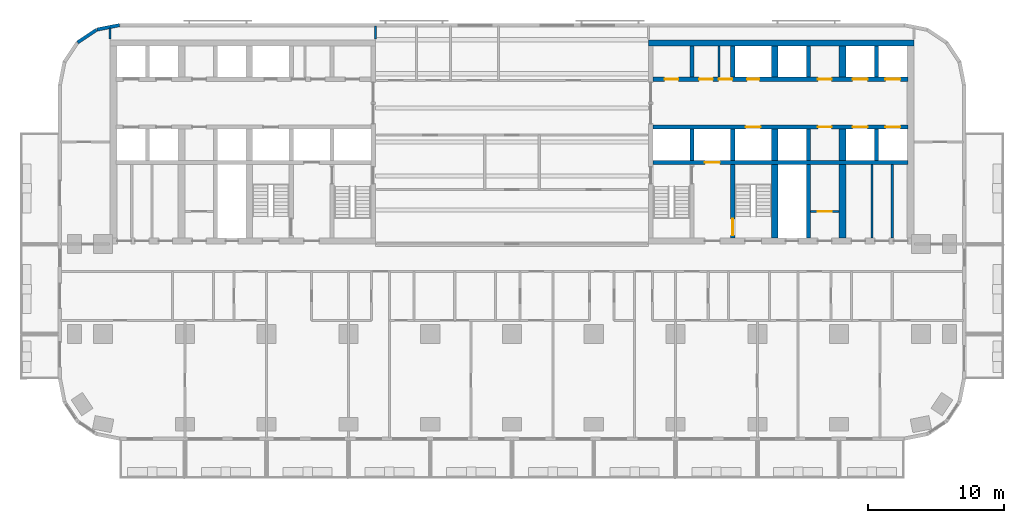
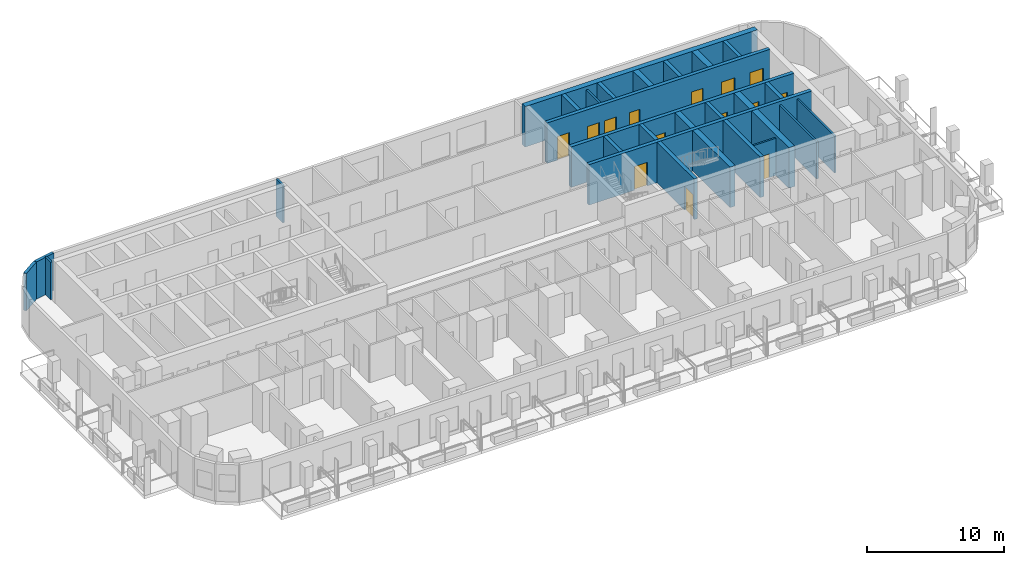
# One storey, part 8 of 15: 28 walls, 14 doors, 14 openings.
"""IFC4 building model written with IfcOpenShell, lengths in metres."""

from ifc_helpers import new_model, si_unit, direction, frame, frame_2d, origin, place, context, subcontext, project, spatial, rectangle, extrude, material, layer, layer_set, type_object, element, fill, save


model = new_model("IFC4")

# Units and contexts
model_context = context("Model", 3, precision=1e-05, world=origin(), true_north=direction((0.0, 1.0)))
body_context = subcontext(model_context, "Body", "Model", "MODEL_VIEW")
ifc_project = project(units=[si_unit("LENGTHUNIT", "METRE"), si_unit("AREAUNIT", "SQUARE_METRE"), si_unit("VOLUMEUNIT", "CUBIC_METRE"), si_unit("PLANEANGLEUNIT", "RADIAN"), si_unit("MASSUNIT", "GRAM", prefix="KILO")], contexts=[model_context])

# Site, building, storey
site_placement = place(None, origin())
site = spatial("IfcSite", under=ifc_project, at=site_placement, CompositionType="ELEMENT")
building_placement = place(site_placement, origin())
building = spatial("IfcBuilding", under=site, at=building_placement, Name="Torana Hotel and Residences", CompositionType="ELEMENT")
storey_placement = place(building_placement, frame((0.0, 0.0, 92.39990234375)))
storey = spatial("IfcBuildingStorey", under=building, at=storey_placement, Name="L23", CompositionType="ELEMENT", Elevation=92.39990234375)

# Wall, openings, doors
ifc_material_1 = material(Name="Concrete C80/95", Category="concrete")
ifc_layer_1 = layer(ifc_material_1, 0.300048828125)
ifc_layer_set_1 = layer_set([ifc_layer_1], Name="CORE WALL 300 C80/95")
wall_type_1 = type_object("IfcWallType", Name="CORE WALL 300 C80/95", PredefinedType="SHEAR", material=ifc_layer_set_1)
wall_1_placement = place(storey_placement, frame((10.35009765625, -2.89990234375, 0.0), z_axis=(0.0, 0.0, 1.0), x_axis=(1.0, 0.0, 0.0)))
wall_1 = element("IfcWall", 1, at=wall_1_placement, inside=storey, type_object=wall_type_1, Name="Core wall E row-N", PredefinedType="SHEAR", context=body_context, shape_type="SweptSolid", body=[
    extrude(rectangle(XDim=18.699951171875, YDim=0.300048828125, at=frame_2d((9.35009765625, 0.0))), origin(), (0.0, 0.0, 1.0), 3.60009765625),
])
opening_1_placement = place(wall_1_placement, frame((14.64990234375, 0.0, 0.0)))
opening_1 = element("IfcOpeningElement", 2, at=opening_1_placement, cuts=wall_1, Name="Opening LD", PredefinedType="OPENING", context=body_context, shape_type="SweptSolid", body=[
    extrude(rectangle(XDim=1.10009765625, YDim=2.10009765625, at=frame_2d((0.550048828125, 1.050048828125))), frame((0.0, 0.159912109375, 0.0), z_axis=(0.0, -1.0, 0.0), x_axis=(1.0, 0.0, 0.0)), (0.0, 0.0, 1.0), 0.320068359375),
])
opening_2_placement = place(wall_1_placement, frame((17.050048828125, 0.0, 0.0)))
opening_2 = element("IfcOpeningElement", 3, at=opening_2_placement, cuts=wall_1, Name="Opening LD", PredefinedType="OPENING", context=body_context, shape_type="SweptSolid", body=[
    extrude(rectangle(XDim=1.10009765625, YDim=2.10009765625, at=frame_2d((0.550048828125, 1.050048828125))), frame((0.0, 0.159912109375, 0.0), z_axis=(0.0, -1.0, 0.0), x_axis=(1.0, 0.0, 0.0)), (0.0, 0.0, 1.0), 0.320068359375),
])
opening_3_placement = place(wall_1_placement, frame((6.89990234375, 0.0, 0.0)))
opening_3 = element("IfcOpeningElement", 4, at=opening_3_placement, cuts=wall_1, Name="Opening L23-29", PredefinedType="OPENING", context=body_context, shape_type="SweptSolid", body=[
    extrude(rectangle(XDim=0.89990234375, YDim=2.10009765625, at=frame_2d((0.449951171875, 1.050048828125))), frame((0.0, 0.159912109375, 0.0), z_axis=(0.0, -1.0, 0.0), x_axis=(1.0, 0.0, 0.0)), (0.0, 0.0, 1.0), 0.320068359375),
])
opening_4_placement = place(wall_1_placement, frame((0.85009765625, 0.0, 0.0)))
opening_4 = element("IfcOpeningElement", 5, at=opening_4_placement, cuts=wall_1, Name="Opening L23-30", PredefinedType="OPENING", context=body_context, shape_type="SweptSolid", body=[
    extrude(rectangle(XDim=1.0, YDim=2.10009765625, at=frame_2d((0.5, 1.050048828125))), frame((0.0, 0.159912109375, 0.0), z_axis=(0.0, -1.0, 0.0), x_axis=(1.0, 0.0, 0.0)), (0.0, 0.0, 1.0), 0.320068359375),
])
opening_5_placement = place(wall_1_placement, frame((3.387451171875, 0.0, 0.0)))
opening_5 = element("IfcOpeningElement", 6, at=opening_5_placement, cuts=wall_1, Name="Opening L23-31", PredefinedType="OPENING", context=body_context, shape_type="SweptSolid", body=[
    extrude(rectangle(XDim=1.0, YDim=2.10009765625, at=frame_2d((0.5, 1.050048828125))), frame((0.0, 0.159912109375, 0.0), z_axis=(0.0, -1.0, 0.0), x_axis=(1.0, 0.0, 0.0)), (0.0, 0.0, 1.0), 0.320068359375),
])
opening_6_placement = place(wall_1_placement, frame((4.8125, 0.0, 0.0)))
opening_6 = element("IfcOpeningElement", 7, at=opening_6_placement, cuts=wall_1, Name="Opening L23-32", PredefinedType="OPENING", context=body_context, shape_type="SweptSolid", body=[
    extrude(rectangle(XDim=1.0, YDim=2.10009765625, at=frame_2d((0.5, 1.050048828125))), frame((0.0, 0.159912109375, 0.0), z_axis=(0.0, -1.0, 0.0), x_axis=(1.0, 0.0, 0.0)), (0.0, 0.0, 1.0), 0.320068359375),
])
opening_7_placement = place(wall_1_placement, frame((12.10009765625, 0.0, 0.0)))
opening_7 = element("IfcOpeningElement", 8, at=opening_7_placement, cuts=wall_1, Name="Opening L23-33", PredefinedType="OPENING", context=body_context, shape_type="SweptSolid", body=[
    extrude(rectangle(XDim=1.0, YDim=2.10009765625, at=frame_2d((0.5, 1.050048828125))), frame((0.0, 0.159912109375, 0.0), z_axis=(0.0, -1.0, 0.0), x_axis=(1.0, 0.0, 0.0)), (0.0, 0.0, 1.0), 0.320068359375),
])
ifc_material_2 = material(Name="Steel S235", Category="steel")
door_type_1 = type_object("IfcDoorType", Name="CORE ROOM FIRE DOOR D14 1000x2100", OperationType="SINGLE_SWING_LEFT", PredefinedType="DOOR", material=ifc_material_2)
door_1_placement = place(opening_4_placement, origin())
door_1 = element("IfcDoor", 9, at=door_1_placement, inside=storey, type_object=door_type_1, Name="N0 door L23", OperationType="SINGLE_SWING_RIGHT", OverallHeight=2.10009765625, OverallWidth=1.0, PredefinedType="DOOR", context=body_context, shape_type="SweptSolid", body=[
    extrude(rectangle(XDim=1.0, YDim=2.10009765625, at=frame_2d((0.5, 1.050048828125))), frame((0.0, 0.02490234375, 0.0), z_axis=(0.0, -1.0, 0.0), x_axis=(1.0, 0.0, 0.0)), (0.0, 0.0, 1.0), 0.050048828125),
])
fill(opening_4, door_1)
door_2_placement = place(opening_5_placement, origin())
door_2 = element("IfcDoor", 10, at=door_2_placement, inside=storey, type_object=door_type_1, Name="N1A door L23", OperationType="SINGLE_SWING_RIGHT", OverallHeight=2.10009765625, OverallWidth=1.0, PredefinedType="DOOR", context=body_context, shape_type="SweptSolid", body=[
    extrude(rectangle(XDim=1.0, YDim=2.10009765625, at=frame_2d((0.5, 1.050048828125))), frame((0.0, 0.02490234375, 0.0), z_axis=(0.0, -1.0, 0.0), x_axis=(1.0, 0.0, 0.0)), (0.0, 0.0, 1.0), 0.050048828125),
])
fill(opening_5, door_2)
door_3_placement = place(opening_6_placement, origin())
door_3 = element("IfcDoor", 11, at=door_3_placement, inside=storey, type_object=door_type_1, Name="N1B door L23", OperationType="SINGLE_SWING_LEFT", OverallHeight=2.10009765625, OverallWidth=1.0, PredefinedType="DOOR", context=body_context, shape_type="SweptSolid", body=[
    extrude(rectangle(XDim=1.0, YDim=2.10009765625, at=frame_2d((0.5, 1.050048828125))), frame((0.0, 0.02490234375, 0.0), z_axis=(0.0, -1.0, 0.0), x_axis=(1.0, 0.0, 0.0)), (0.0, 0.0, 1.0), 0.050048828125),
])
fill(opening_6, door_3)
door_4_placement = place(opening_7_placement, origin())
door_4 = element("IfcDoor", 12, at=door_4_placement, inside=storey, type_object=door_type_1, Name="Free-M3 door L23", OperationType="SINGLE_SWING_RIGHT", OverallHeight=2.10009765625, OverallWidth=1.0, PredefinedType="DOOR", context=body_context, shape_type="SweptSolid", body=[
    extrude(rectangle(XDim=1.0, YDim=2.10009765625, at=frame_2d((0.5, 1.050048828125))), frame((0.0, 0.02490234375, 0.0), z_axis=(0.0, -1.0, 0.0), x_axis=(1.0, 0.0, 0.0)), (0.0, 0.0, 1.0), 0.050048828125),
])
fill(opening_7, door_4)
ifc_material_3 = material(Name="Stainless steel 316", Category="steel")
door_type_2 = type_object("IfcDoorType", Name="LIFT LANDING DOOR LD 1100x2100", OperationType="DOUBLE_DOOR_SLIDING", PredefinedType="USERDEFINED", material=ifc_material_3)
door_5_placement = place(opening_1_placement, origin())
door_5 = element("IfcDoor", 13, at=door_5_placement, inside=storey, type_object=door_type_2, Name="Lift landing door L5 L23", ObjectType="LIFT LANDING DOOR", OperationType="DOUBLE_DOOR_SLIDING", OverallHeight=2.10009765625, OverallWidth=1.10009765625, PredefinedType="USERDEFINED", context=body_context, shape_type="SweptSolid", body=[
    extrude(rectangle(XDim=1.10009765625, YDim=2.10009765625, at=frame_2d((0.550048828125, 1.050048828125))), frame((0.0, 0.02490234375, 0.0), z_axis=(0.0, -1.0, 0.0), x_axis=(1.0, 0.0, 0.0)), (0.0, 0.0, 1.0), 0.050048828125),
])
fill(opening_1, door_5)
door_6_placement = place(opening_2_placement, origin())
door_6 = element("IfcDoor", 14, at=door_6_placement, inside=storey, type_object=door_type_2, Name="Lift landing door L6 L23", ObjectType="LIFT LANDING DOOR", OperationType="DOUBLE_DOOR_SLIDING", OverallHeight=2.10009765625, OverallWidth=1.10009765625, PredefinedType="USERDEFINED", context=body_context, shape_type="SweptSolid", body=[
    extrude(rectangle(XDim=1.10009765625, YDim=2.10009765625, at=frame_2d((0.550048828125, 1.050048828125))), frame((0.0, 0.02490234375, 0.0), z_axis=(0.0, -1.0, 0.0), x_axis=(1.0, 0.0, 0.0)), (0.0, 0.0, 1.0), 0.050048828125),
])
fill(opening_2, door_6)
ifc_material_4 = material(Name="Steel S235", Category="steel")
door_type_3 = type_object("IfcDoorType", Name="RISER ACCESS DOOR D5 900x2100", OperationType="SINGLE_SWING_LEFT", PredefinedType="DOOR", material=ifc_material_4)
door_7_placement = place(opening_3_placement, origin())
door_7 = element("IfcDoor", 15, at=door_7_placement, inside=storey, type_object=door_type_3, Name="N2 door L23", OperationType="SINGLE_SWING_RIGHT", OverallHeight=2.10009765625, OverallWidth=0.89990234375, PredefinedType="DOOR", context=body_context, shape_type="SweptSolid", body=[
    extrude(rectangle(XDim=0.89990234375, YDim=2.10009765625, at=frame_2d((0.449951171875, 1.050048828125))), frame((0.0, 0.02490234375, 0.0), z_axis=(0.0, -1.0, 0.0), x_axis=(1.0, 0.0, 0.0)), (0.0, 0.0, 1.0), 0.050048828125),
])
fill(opening_3, door_7)

wall_2_placement = place(storey_placement, frame((10.35009765625, -6.39990234375, 0.0), z_axis=(0.0, 0.0, 1.0), x_axis=(1.0, 0.0, 0.0)))
wall_2 = element("IfcWall", 16, at=wall_2_placement, inside=storey, type_object=wall_type_1, Name="Core wall E row-S", PredefinedType="SHEAR", context=body_context, shape_type="SweptSolid", body=[
    extrude(rectangle(XDim=18.699951171875, YDim=0.300048828125, at=frame_2d((9.35009765625, 0.0))), origin(), (0.0, 0.0, 1.0), 3.60009765625),
])
opening_8_placement = place(wall_2_placement, frame((14.64990234375, 0.0, 0.0)))
opening_8 = element("IfcOpeningElement", 17, at=opening_8_placement, cuts=wall_2, Name="Opening LD", PredefinedType="OPENING", context=body_context, shape_type="SweptSolid", body=[
    extrude(rectangle(XDim=1.10009765625, YDim=2.10009765625, at=frame_2d((0.550048828125, 1.050048828125))), frame((0.0, 0.159912109375, 0.0), z_axis=(0.0, -1.0, 0.0), x_axis=(1.0, 0.0, 0.0)), (0.0, 0.0, 1.0), 0.320068359375),
])
opening_9_placement = place(wall_2_placement, frame((17.050048828125, 0.0, 0.0)))
opening_9 = element("IfcOpeningElement", 18, at=opening_9_placement, cuts=wall_2, Name="Opening LD", PredefinedType="OPENING", context=body_context, shape_type="SweptSolid", body=[
    extrude(rectangle(XDim=1.10009765625, YDim=2.10009765625, at=frame_2d((0.550048828125, 1.050048828125))), frame((0.0, 0.159912109375, 0.0), z_axis=(0.0, -1.0, 0.0), x_axis=(1.0, 0.0, 0.0)), (0.0, 0.0, 1.0), 0.320068359375),
])
opening_10_placement = place(wall_2_placement, frame((6.800048828125, 0.0, 0.0)))
opening_10 = element("IfcOpeningElement", 19, at=opening_10_placement, cuts=wall_2, Name="Opening LD", PredefinedType="OPENING", context=body_context, shape_type="SweptSolid", body=[
    extrude(rectangle(XDim=1.10009765625, YDim=2.10009765625, at=frame_2d((0.550048828125, 1.050048828125))), frame((0.0, 0.159912109375, 0.0), z_axis=(0.0, -1.0, 0.0), x_axis=(1.0, 0.0, 0.0)), (0.0, 0.0, 1.0), 0.320068359375),
])
opening_11_placement = place(wall_2_placement, frame((12.10009765625, 0.0, 0.0)))
opening_11 = element("IfcOpeningElement", 20, at=opening_11_placement, cuts=wall_2, Name="Opening L23-34", PredefinedType="OPENING", context=body_context, shape_type="SweptSolid", body=[
    extrude(rectangle(XDim=1.0, YDim=2.10009765625, at=frame_2d((0.5, 1.050048828125))), frame((0.0, 0.159912109375, 0.0), z_axis=(0.0, -1.0, 0.0), x_axis=(1.0, 0.0, 0.0)), (0.0, 0.0, 1.0), 0.320068359375),
])
door_8_placement = place(opening_11_placement, frame((0.5, 0.0, 0.0), z_axis=(0.0, 0.0, 1.0), x_axis=(-1.0, 0.0, 0.0)))
door_8 = element("IfcDoor", 21, at=door_8_placement, inside=storey, type_object=door_type_1, Name="Free-M4 door L23", OperationType="SINGLE_SWING_LEFT", OverallHeight=2.10009765625, OverallWidth=1.0, PredefinedType="DOOR", context=body_context, shape_type="SweptSolid", body=[
    extrude(rectangle(XDim=1.0, YDim=2.10009765625, at=frame_2d((0.0, 1.050048828125))), frame((0.0, -0.02490234375, 0.0), z_axis=(0.0, 1.0, 0.0), x_axis=(-1.0, 0.0, 0.0)), (0.0, 0.0, 1.0), 0.050048828125),
])
fill(opening_11, door_8)
door_9_placement = place(opening_8_placement, origin())
door_9 = element("IfcDoor", 22, at=door_9_placement, inside=storey, type_object=door_type_2, Name="Lift landing door L7 L23", ObjectType="LIFT LANDING DOOR", OperationType="DOUBLE_DOOR_SLIDING", OverallHeight=2.10009765625, OverallWidth=1.10009765625, PredefinedType="USERDEFINED", context=body_context, shape_type="SweptSolid", body=[
    extrude(rectangle(XDim=1.10009765625, YDim=2.10009765625, at=frame_2d((0.550048828125, 1.050048828125))), frame((0.0, 0.02490234375, 0.0), z_axis=(0.0, -1.0, 0.0), x_axis=(1.0, 0.0, 0.0)), (0.0, 0.0, 1.0), 0.050048828125),
])
fill(opening_8, door_9)
door_10_placement = place(opening_9_placement, origin())
door_10 = element("IfcDoor", 23, at=door_10_placement, inside=storey, type_object=door_type_2, Name="Lift landing door L8 L23", ObjectType="LIFT LANDING DOOR", OperationType="DOUBLE_DOOR_SLIDING", OverallHeight=2.10009765625, OverallWidth=1.10009765625, PredefinedType="USERDEFINED", context=body_context, shape_type="SweptSolid", body=[
    extrude(rectangle(XDim=1.10009765625, YDim=2.10009765625, at=frame_2d((0.550048828125, 1.050048828125))), frame((0.0, 0.02490234375, 0.0), z_axis=(0.0, -1.0, 0.0), x_axis=(1.0, 0.0, 0.0)), (0.0, 0.0, 1.0), 0.050048828125),
])
fill(opening_9, door_10)
door_11_placement = place(opening_10_placement, origin())
door_11 = element("IfcDoor", 24, at=door_11_placement, inside=storey, type_object=door_type_2, Name="Lift landing door SV2 L23", ObjectType="LIFT LANDING DOOR", OperationType="DOUBLE_DOOR_SLIDING", OverallHeight=2.10009765625, OverallWidth=1.10009765625, PredefinedType="USERDEFINED", context=body_context, shape_type="SweptSolid", body=[
    extrude(rectangle(XDim=1.10009765625, YDim=2.10009765625, at=frame_2d((0.550048828125, 1.050048828125))), frame((0.0, 0.02490234375, 0.0), z_axis=(0.0, -1.0, 0.0), x_axis=(1.0, 0.0, 0.0)), (0.0, 0.0, 1.0), 0.050048828125),
])
fill(opening_10, door_11)

# Wall, opening, door
wall_3_placement = place(storey_placement, frame((10.35009765625, -9.0, 0.0), z_axis=(0.0, 0.0, 1.0), x_axis=(1.0, 0.0, 0.0)))
wall_3 = element("IfcWall", 25, at=wall_3_placement, inside=storey, type_object=wall_type_1, Name="Core wall E band", PredefinedType="SHEAR", context=body_context, shape_type="SweptSolid", body=[
    extrude(rectangle(XDim=18.699951171875, YDim=0.300048828125, at=frame_2d((9.35009765625, 0.0))), origin(), (0.0, 0.0, 1.0), 3.60009765625),
])
opening_12_placement = place(wall_3_placement, frame((3.800048828125, 0.0, 0.0)))
opening_12 = element("IfcOpeningElement", 26, at=opening_12_placement, cuts=wall_3, Name="Opening LD", PredefinedType="OPENING", context=body_context, shape_type="SweptSolid", body=[
    extrude(rectangle(XDim=1.10009765625, YDim=2.10009765625, at=frame_2d((0.550048828125, 1.050048828125))), frame((0.0, 0.159912109375, 0.0), z_axis=(0.0, -1.0, 0.0), x_axis=(1.0, 0.0, 0.0)), (0.0, 0.0, 1.0), 0.320068359375),
])
door_12_placement = place(opening_12_placement, origin())
door_12 = element("IfcDoor", 27, at=door_12_placement, inside=storey, type_object=door_type_2, Name="Lift landing door FF2 L23", ObjectType="LIFT LANDING DOOR", OperationType="DOUBLE_DOOR_SLIDING", OverallHeight=2.10009765625, OverallWidth=1.10009765625, PredefinedType="USERDEFINED", context=body_context, shape_type="SweptSolid", body=[
    extrude(rectangle(XDim=1.10009765625, YDim=2.10009765625, at=frame_2d((0.550048828125, 1.050048828125))), frame((0.0, 0.02490234375, 0.0), z_axis=(0.0, -1.0, 0.0), x_axis=(1.0, 0.0, 0.0)), (0.0, 0.0, 1.0), 0.050048828125),
])
fill(opening_12, door_12)

# Walls
for number, where, z_axis, x_axis, name in (
    (28, (13.199951171875, -2.75, 0.0), (0.0, 0.0, 1.0), (0.0, 1.0, 0.0), "Core wall E x3.05-N"),
    (29, (13.199951171875, -8.85009765625, 0.0), (0.0, 0.0, 1.0), (0.0, 1.0, 0.0), "Core wall E x3.05-S"),
    (30, (16.199951171875, -2.75, 0.0), (0.0, 0.0, 1.0), (0.0, 1.0, 0.0), "Core wall E x6.05-N"),
    (31, (16.199951171875, -8.85009765625, 0.0), (0.0, 0.0, 1.0), (0.0, 1.0, 0.0), "Core wall E x6.05-S"),
):
    element("IfcWall", number, at=place(storey_placement, frame(where, z_axis=z_axis, x_axis=x_axis)), inside=storey, type_object=wall_type_1, Name=name, PredefinedType="SHEAR", context=body_context, shape_type="SweptSolid", body=[
        extrude(rectangle(XDim=2.300048828125, YDim=0.300048828125, at=frame_2d((1.14990234375, 0.0))), origin(), (0.0, 0.0, 1.0), 3.60009765625),
    ])

# Wall, opening, door
wall_4_placement = place(storey_placement, frame((16.199951171875, -14.550048828125, 0.0), z_axis=(0.0, 0.0, 1.0), x_axis=(0.0, 1.0, 0.0)))
wall_4 = element("IfcWall", 32, at=wall_4_placement, inside=storey, type_object=wall_type_1, Name="Core wall E x6.05-band", PredefinedType="SHEAR", context=body_context, shape_type="SweptSolid", body=[
    extrude(rectangle(XDim=5.400146484375, YDim=0.300048828125, at=frame_2d((2.7001953125, 0.0))), origin(), (0.0, 0.0, 1.0), 3.60009765625),
])
opening_13_placement = place(wall_4_placement, frame((0.199951171875, 0.0, 0.0)))
opening_13 = element("IfcOpeningElement", 33, at=opening_13_placement, cuts=wall_4, Name="Opening L23-36", PredefinedType="OPENING", context=body_context, shape_type="SweptSolid", body=[
    extrude(rectangle(XDim=1.199951171875, YDim=2.10009765625, at=frame_2d((0.60009765625, 1.050048828125))), frame((0.0, 0.159912109375, 0.0), z_axis=(0.0, -1.0, 0.0), x_axis=(1.0, 0.0, 0.0)), (0.0, 0.0, 1.0), 0.320068359375),
])
ifc_material_5 = material(Name="Steel S235", Category="steel")
door_type_4 = type_object("IfcDoorType", Name="STAIR FIRE DOOR D3 1200x2100", OperationType="SINGLE_SWING_LEFT", PredefinedType="DOOR", material=ifc_material_5)
door_13_placement = place(opening_13_placement, frame((0.60009765625, 0.0, 0.0), z_axis=(0.0, 0.0, 1.0), x_axis=(-1.0, 0.0, 0.0)))
door_13 = element("IfcDoor", 34, at=door_13_placement, inside=storey, type_object=door_type_4, Name="Stair-B-lobby door L23", OperationType="SINGLE_SWING_LEFT", OverallHeight=2.10009765625, OverallWidth=1.199951171875, PredefinedType="DOOR", context=body_context, shape_type="SweptSolid", body=[
    extrude(rectangle(XDim=1.199951171875, YDim=2.10009765625, at=frame_2d((0.0, 1.050048828125))), frame((0.0, -0.02490234375, 0.0), z_axis=(0.0, 1.0, 0.0), x_axis=(-1.0, 0.0, 0.0)), (0.0, 0.0, 1.0), 0.050048828125),
])
fill(opening_13, door_13)

# Walls
for number, where, z_axis, x_axis, name in (
    (35, (21.75, -2.75, 0.0), (0.0, 0.0, 1.0), (0.0, 1.0, 0.0), "Core wall E mm-N"),
    (36, (21.75, -8.85009765625, 0.0), (0.0, 0.0, 1.0), (0.0, 1.0, 0.0), "Core wall E mm-S"),
):
    element("IfcWall", number, at=place(storey_placement, frame(where, z_axis=z_axis, x_axis=x_axis)), inside=storey, type_object=wall_type_1, Name=name, PredefinedType="SHEAR", context=body_context, shape_type="SweptSolid", body=[
        extrude(rectangle(XDim=2.300048828125, YDim=0.300048828125, at=frame_2d((1.14990234375, 0.0))), origin(), (0.0, 0.0, 1.0), 3.60009765625),
    ])
wall_5_placement = place(storey_placement, frame((21.75, -14.550048828125, 0.0), z_axis=(0.0, 0.0, 1.0), x_axis=(0.0, 1.0, 0.0)))
element("IfcWall", 37, at=wall_5_placement, inside=storey, type_object=wall_type_1, Name="Core wall E mm-band", PredefinedType="SHEAR", context=body_context, shape_type="SweptSolid", body=[
    extrude(rectangle(XDim=5.400146484375, YDim=0.300048828125, at=frame_2d((2.7001953125, 0.0))), origin(), (0.0, 0.0, 1.0), 3.60009765625),
])
for number, where, z_axis, x_axis, name in (
    (38, (26.75, -2.75, 0.0), (0.0, 0.0, 1.0), (0.0, 1.0, 0.0), "Core wall E ll-N"),
    (39, (26.75, -8.85009765625, 0.0), (0.0, 0.0, 1.0), (0.0, 1.0, 0.0), "Core wall E ll-S"),
):
    element("IfcWall", number, at=place(storey_placement, frame(where, z_axis=z_axis, x_axis=x_axis)), inside=storey, type_object=wall_type_1, Name=name, PredefinedType="SHEAR", context=body_context, shape_type="SweptSolid", body=[
        extrude(rectangle(XDim=2.300048828125, YDim=0.300048828125, at=frame_2d((1.14990234375, 0.0))), origin(), (0.0, 0.0, 1.0), 3.60009765625),
    ])
ifc_material_6 = material(Name="Concrete C80/95", Category="concrete")
ifc_layer_2 = layer(ifc_material_6, 0.449951171875)
ifc_layer_set_2 = layer_set([ifc_layer_2], Name="CORE WALL 450 C80/95")
wall_type_2 = type_object("IfcWallType", Name="CORE WALL 450 C80/95", PredefinedType="SHEAR", material=ifc_layer_set_2)
wall_6_placement = place(storey_placement, frame((10.0, -0.22509765625, 0.0), z_axis=(0.0, 0.0, 1.0), x_axis=(1.0, 0.0, 0.0)))
element("IfcWall", 40, at=wall_6_placement, inside=storey, type_object=wall_type_2, Name="Core wall E rear", PredefinedType="SHEAR", context=body_context, shape_type="SweptSolid", body=[
    extrude(rectangle(XDim=19.5, YDim=0.449951171875, at=frame_2d((9.75, 0.0))), origin(), (0.0, 0.0, 1.0), 3.60009765625),
])
for number, where, z_axis, x_axis, name in (
    (41, (19.27490234375, -2.75, 0.0), (0.0, 0.0, 1.0), (0.0, 1.0, 0.0), "Core wall E hm-N"),
    (42, (19.27490234375, -8.85009765625, 0.0), (0.0, 0.0, 1.0), (0.0, 1.0, 0.0), "Core wall E hm-S"),
):
    element("IfcWall", number, at=place(storey_placement, frame(where, z_axis=z_axis, x_axis=x_axis)), inside=storey, type_object=wall_type_2, Name=name, PredefinedType="SHEAR", context=body_context, shape_type="SweptSolid", body=[
        extrude(rectangle(XDim=2.300048828125, YDim=0.449951171875, at=frame_2d((1.14990234375, 0.0))), origin(), (0.0, 0.0, 1.0), 3.60009765625),
    ])
wall_7_placement = place(storey_placement, frame((19.27490234375, -14.550048828125, 0.0), z_axis=(0.0, 0.0, 1.0), x_axis=(0.0, 1.0, 0.0)))
element("IfcWall", 43, at=wall_7_placement, inside=storey, type_object=wall_type_2, Name="Core wall E hm-band", PredefinedType="SHEAR", context=body_context, shape_type="SweptSolid", body=[
    extrude(rectangle(XDim=5.400146484375, YDim=0.449951171875, at=frame_2d((2.7001953125, 0.0))), origin(), (0.0, 0.0, 1.0), 3.60009765625),
])
ifc_material_7 = material(Name="Concrete C80/95", Category="concrete")
ifc_layer_3 = layer(ifc_material_7, 0.5)
ifc_layer_set_3 = layer_set([ifc_layer_3], Name="CORE WALL 500 C80/95")
wall_type_3 = type_object("IfcWallType", Name="CORE WALL 500 C80/95", PredefinedType="SHEAR", material=ifc_layer_set_3)
for number, where, z_axis, x_axis, name in (
    (44, (24.25, -2.75, 0.0), (0.0, 0.0, 1.0), (0.0, 1.0, 0.0), "Core wall E ml-N"),
    (45, (24.25, -8.85009765625, 0.0), (0.0, 0.0, 1.0), (0.0, 1.0, 0.0), "Core wall E ml-S"),
):
    element("IfcWall", number, at=place(storey_placement, frame(where, z_axis=z_axis, x_axis=x_axis)), inside=storey, type_object=wall_type_3, Name=name, PredefinedType="SHEAR", context=body_context, shape_type="SweptSolid", body=[
        extrude(rectangle(XDim=2.300048828125, YDim=0.5, at=frame_2d((1.14990234375, 0.0))), origin(), (0.0, 0.0, 1.0), 3.60009765625),
    ])
wall_8_placement = place(storey_placement, frame((24.25, -14.550048828125, 0.0), z_axis=(0.0, 0.0, 1.0), x_axis=(0.0, 1.0, 0.0)))
element("IfcWall", 46, at=wall_8_placement, inside=storey, type_object=wall_type_3, Name="Core wall E ml-band", PredefinedType="SHEAR", context=body_context, shape_type="SweptSolid", body=[
    extrude(rectangle(XDim=5.400146484375, YDim=0.5, at=frame_2d((2.7001953125, 0.0))), origin(), (0.0, 0.0, 1.0), 3.60009765625),
])
ifc_material_8 = material(Name="Black aluminium composite panel", Category="aluminium")
ifc_layer_4 = layer(ifc_material_8, 0.00390625, Name="Cladding", Category="cladding")
ifc_material_9 = material(Name="Ventilated air cavity")
ifc_layer_5 = layer(ifc_material_9, 0.0400390625, Name="Ventilated cavity", Category="cavity")
ifc_material_10 = material(Name="Mineral wool insulation")
ifc_layer_6 = layer(ifc_material_10, 0.090087890625, Name="Insulation", Category="insulation")
ifc_material_11 = material(Name="Steel S280GD", Category="steel")
ifc_layer_7 = layer(ifc_material_11, 0.092041015625, Name="Steel stud frame", Category="structure")
ifc_material_12 = material(Name="Fire rated plasterboard")
ifc_layer_8 = layer(ifc_material_12, 0.011962890625, Name="Inner board", Category="finish")
ifc_layer_9 = layer(ifc_material_12, 0.011962890625, Name="Second board", Category="finish")
ifc_layer_set_4 = layer_set([ifc_layer_4, ifc_layer_5, ifc_layer_6, ifc_layer_7, ifc_layer_8, ifc_layer_9], Name="EW1 EXTERNAL WALL BLACK METAL CLAD 250")
wall_type_4 = type_object("IfcWallType", Name="EW1 EXTERNAL WALL BLACK METAL CLAD 250", PredefinedType="SOLIDWALL", material=ifc_layer_set_4)
wall_9_placement = place(storey_placement, frame((-28.7998046875, 1.072509765625, 0.0), z_axis=(0.0, 0.0, 1.0), x_axis=(-0.980803419081, -0.194999110559, 0.0)))
element("IfcWall", 47, at=wall_9_placement, inside=storey, type_object=wall_type_4, Name="External wall L23 e0.5", PredefinedType="SOLIDWALL", context=body_context, shape_type="SweptSolid", body=[
    extrude(rectangle(XDim=1.681396484375, YDim=0.25, at=frame_2d((0.8408203125, 0.0))), origin(), (0.0, 0.0, 1.0), 3.320068359375),
])
wall_10_placement = place(storey_placement, frame((-30.493896484375, 0.725830078125, 0.0), z_axis=(0.0, 0.0, 1.0), x_axis=(-0.831482937015, -0.55555029066, 0.0)))
element("IfcWall", 48, at=wall_10_placement, inside=storey, type_object=wall_type_4, Name="External wall L23 e0.6", PredefinedType="SOLIDWALL", context=body_context, shape_type="SweptSolid", body=[
    extrude(rectangle(XDim=1.65625, YDim=0.25, at=frame_2d((0.828125, 0.0))), origin(), (0.0, 0.0, 1.0), 3.320068359375),
])
ifc_material_13 = material(Name="Gypsum plaster")
ifc_layer_10 = layer(ifc_material_13, 0.014892578125, Name="Plaster", Category="finish")
ifc_material_14 = material(Name="Concrete blockwork", Category="masonry")
ifc_layer_11 = layer(ifc_material_14, 0.1201171875, Name="Blockwork", Category="structure")
ifc_layer_12 = layer(ifc_material_13, 0.014892578125, Name="Plaster", Category="finish")
ifc_layer_set_5 = layer_set([ifc_layer_10, ifc_layer_11, ifc_layer_12], Name="FIRE PARTITION 150 BLOCKWORK")
wall_type_5 = type_object("IfcWallType", Name="FIRE PARTITION 150 BLOCKWORK", PredefinedType="PARTITIONING", material=ifc_layer_set_5)
wall_11_placement = place(storey_placement, frame((15.199951171875, -2.75, 0.0), z_axis=(0.0, 0.0, 1.0), x_axis=(0.0, 1.0, 0.0)))
element("IfcWall", 49, at=wall_11_placement, inside=storey, type_object=wall_type_5, Name="Core partition L23", PredefinedType="PARTITIONING", context=body_context, shape_type="SweptSolid", body=[
    extrude(rectangle(XDim=2.300048828125, YDim=0.14990234375, at=frame_2d((1.14990234375, 0.0))), origin(), (0.0, 0.0, 1.0), 3.300048828125),
])

# Wall, opening, door
wall_12_placement = place(storey_placement, frame((21.89990234375, -12.60009765625, 0.0), z_axis=(0.0, 0.0, 1.0), x_axis=(1.0, 0.0, 0.0)))
wall_12 = element("IfcWall", 50, at=wall_12_placement, inside=storey, type_object=wall_type_5, Name="Core partition L23", PredefinedType="PARTITIONING", context=body_context, shape_type="SweptSolid", body=[
    extrude(rectangle(XDim=2.10009765625, YDim=0.14990234375, at=frame_2d((1.050048828125, 0.0))), origin(), (0.0, 0.0, 1.0), 3.300048828125),
])
opening_14_placement = place(wall_12_placement, frame((0.550048828125, 0.0, 0.0)))
opening_14 = element("IfcOpeningElement", 51, at=opening_14_placement, cuts=wall_12, Name="Opening L23-38", PredefinedType="OPENING", context=body_context, shape_type="SweptSolid", body=[
    extrude(rectangle(XDim=1.0, YDim=2.10009765625, at=frame_2d((0.5, 1.050048828125))), frame((0.0, 0.0849609375, 0.0), z_axis=(0.0, -1.0, 0.0), x_axis=(1.0, 0.0, 0.0)), (0.0, 0.0, 1.0), 0.169921875),
])
door_14_placement = place(opening_14_placement, origin())
door_14 = element("IfcDoor", 52, at=door_14_placement, inside=storey, type_object=door_type_1, Name="Plant room door L23", OperationType="SINGLE_SWING_RIGHT", OverallHeight=2.10009765625, OverallWidth=1.0, PredefinedType="DOOR", context=body_context, shape_type="SweptSolid", body=[
    extrude(rectangle(XDim=1.0, YDim=2.10009765625, at=frame_2d((0.5, 1.050048828125))), frame((0.0, 0.02490234375, 0.0), z_axis=(0.0, -1.0, 0.0), x_axis=(1.0, 0.0, 0.0)), (0.0, 0.0, 1.0), 0.050048828125),
])
fill(opening_14, door_14)

# Walls
for number, where, z_axis, x_axis, name in (
    (53, (26.39990234375, -14.550048828125, 0.0), (0.0, 0.0, 1.0), (0.0, 1.0, 0.0), "Core partition L23"),
    (54, (27.89990234375, -14.550048828125, 0.0), (0.0, 0.0, 1.0), (0.0, 1.0, 0.0), "Core partition L23"),
):
    element("IfcWall", number, at=place(storey_placement, frame(where, z_axis=z_axis, x_axis=x_axis)), inside=storey, type_object=wall_type_5, Name=name, PredefinedType="PARTITIONING", context=body_context, shape_type="SweptSolid", body=[
        extrude(rectangle(XDim=5.400146484375, YDim=0.14990234375, at=frame_2d((2.7001953125, 0.0))), origin(), (0.0, 0.0, 1.0), 3.300048828125),
    ])
ifc_material_15 = material(Name="Gypsum plasterboard")
ifc_layer_13 = layer(ifc_material_15, 0.012451171875, Name="Plasterboard", Category="finish")
ifc_layer_14 = layer(ifc_material_15, 0.012451171875, Name="Plasterboard", Category="finish")
ifc_layer_15 = layer(ifc_material_11, 0.10009765625, Name="Steel studs with mineral wool", Category="insulation")
ifc_layer_16 = layer(ifc_material_15, 0.012451171875, Name="Plasterboard", Category="finish")
ifc_layer_17 = layer(ifc_material_15, 0.012451171875, Name="Plasterboard", Category="finish")
ifc_layer_set_6 = layer_set([ifc_layer_13, ifc_layer_14, ifc_layer_15, ifc_layer_16, ifc_layer_17], Name="PARTITION 150 PLASTERBOARD")
wall_type_6 = type_object("IfcWallType", Name="PARTITION 150 PLASTERBOARD", PredefinedType="PARTITIONING", material=ifc_layer_set_6)
wall_13_placement = place(storey_placement, frame((-29.5, 0.050048828125, 0.0), z_axis=(0.0, 0.0, 1.0), x_axis=(0.0, 1.0, 0.0)))
element("IfcWall", 55, at=wall_13_placement, inside=storey, type_object=wall_type_6, Name="Partition L23", PredefinedType="PARTITIONING", context=body_context, shape_type="SweptSolid", body=[
    extrude(rectangle(XDim=0.8271484375, YDim=0.14990234375, at=frame_2d((0.41357421875, 0.0))), origin(), (0.0, 0.0, 1.0), 3.320068359375),
])
ifc_material_16 = material(Name="Ceramic tile on adhesive")
ifc_layer_18 = layer(ifc_material_16, 0.010009765625, Name="Wall tile", Category="finish")
ifc_material_17 = material(Name="Cement render")
ifc_layer_19 = layer(ifc_material_17, 0.010009765625, Name="Render", Category="finish")
ifc_layer_20 = layer(ifc_material_14, 0.110107421875, Name="Blockwork", Category="structure")
ifc_layer_21 = layer(ifc_material_17, 0.010009765625, Name="Render", Category="finish")
ifc_layer_22 = layer(ifc_material_16, 0.010009765625, Name="Wall tile", Category="finish")
ifc_layer_set_7 = layer_set([ifc_layer_18, ifc_layer_19, ifc_layer_20, ifc_layer_21, ifc_layer_22], Name="WC PARTITION 150")
wall_type_7 = type_object("IfcWallType", Name="WC PARTITION 150", PredefinedType="PLUMBINGWALL", material=ifc_layer_set_7)
wall_14_placement = place(storey_placement, frame((-10.0, 0.050048828125, 0.0), z_axis=(0.0, 0.0, 1.0), x_axis=(0.0, 1.0, 0.0)))
element("IfcWall", 56, at=wall_14_placement, inside=storey, type_object=wall_type_7, Name="Partition L23", PredefinedType="PLUMBINGWALL", context=body_context, shape_type="SweptSolid", body=[
    extrude(rectangle(XDim=0.969970703125, YDim=0.14990234375, at=frame_2d((0.48486328125, 0.0))), origin(), (0.0, 0.0, 1.0), 3.320068359375),
])

save(model, "model.ifc")
